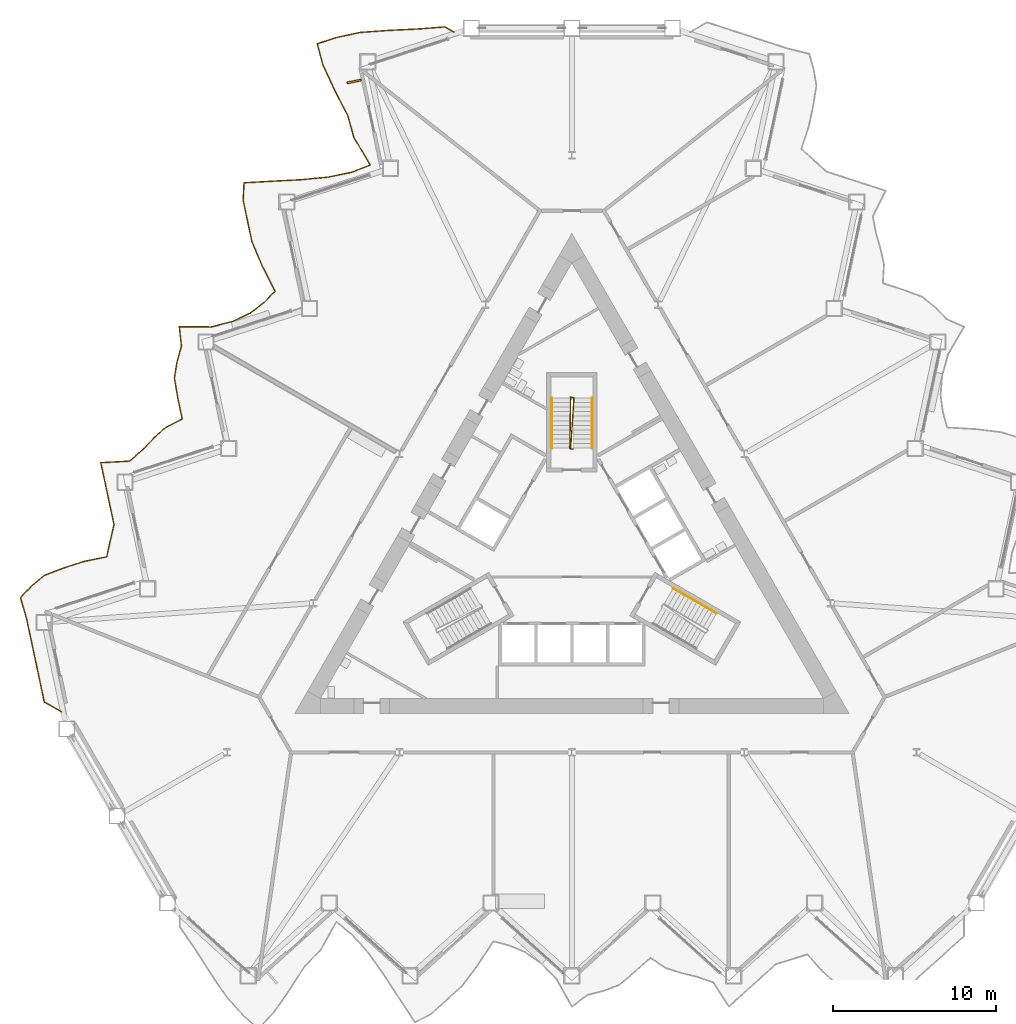
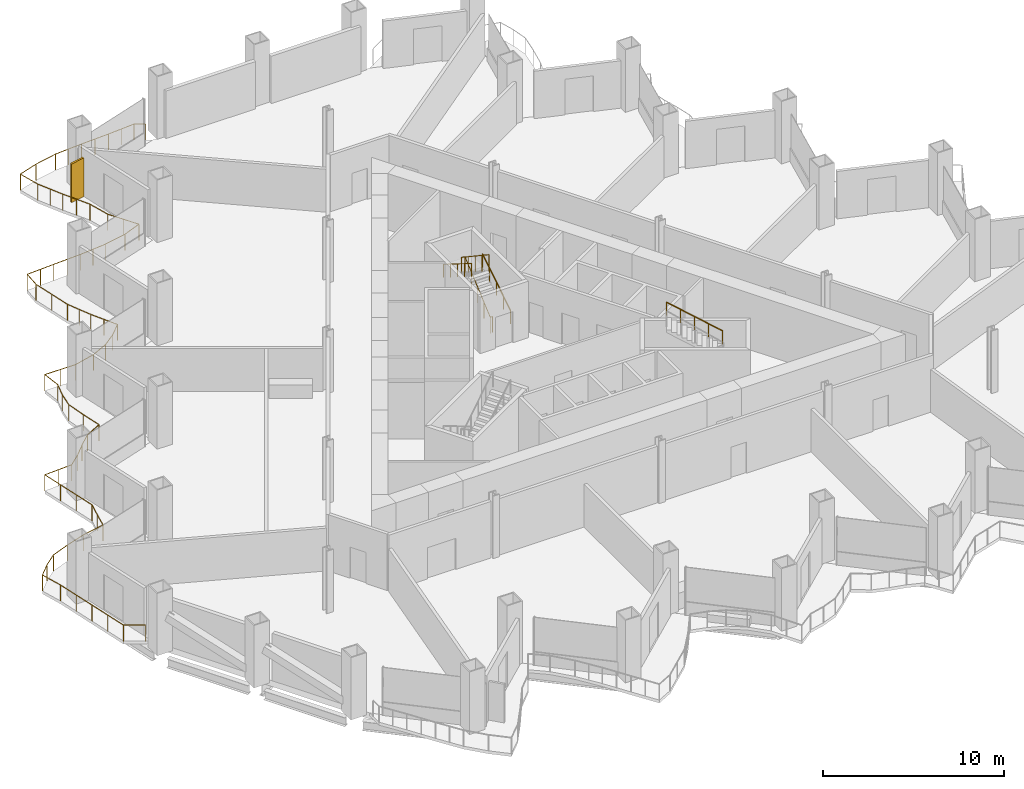
# One storey, part 17 of 20: 5 railings, 1 shading device.
"""IFC4 building model written with IfcOpenShell, lengths in metres."""

from ifc_helpers import new_model, si_unit, direction, frame, origin, origin_2d, place, context, subcontext, project, spatial, rectangle, circle, extrude, material, layer, layer_set, type_object, element, save


model = new_model("IFC4")

# Units and contexts
model_context = context("Model", 3, precision=1e-05, world=origin(), true_north=direction((0.0, 1.0)))
body_context = subcontext(model_context, "Body", "Model", "MODEL_VIEW")
ifc_project = project(units=[si_unit("LENGTHUNIT", "METRE"), si_unit("AREAUNIT", "SQUARE_METRE"), si_unit("VOLUMEUNIT", "CUBIC_METRE"), si_unit("PLANEANGLEUNIT", "RADIAN"), si_unit("MASSUNIT", "GRAM", prefix="KILO")], contexts=[model_context])

# Site, building, storey
site_placement = place(None, origin())
site = spatial("IfcSite", under=ifc_project, at=site_placement, CompositionType="ELEMENT")
building_placement = place(site_placement, origin())
building = spatial("IfcBuilding", under=site, at=building_placement, Name="Cormorant Prow Tower", CompositionType="ELEMENT")
storey_placement = place(building_placement, frame((0.0, 0.0, 38.39990234375)))
storey = spatial("IfcBuildingStorey", under=building, at=storey_placement, Name="L07", CompositionType="ELEMENT", Elevation=38.39990234375)

# Railings
ifc_material_1 = material(Name="Aluminium 6063-T6", Category="aluminium")
railing_type_1 = type_object("IfcRailingType", Name="Balcony guard 1100", PredefinedType="GUARDRAIL", material=ifc_material_1)
railing_1_placement = place(storey_placement, frame((-7.2412109375, 31.994873046875, 0.0)))
element("IfcRailing", 1, at=railing_1_placement, inside=storey, type_object=railing_type_1, Name="Balcony guard WNW", PredefinedType="GUARDRAIL", context=body_context, shape_type="SweptSolid", body=[
    extrude(circle(Radius=0.02392578125, at=origin_2d()), frame((0.0, 0.0, 1.076171875), z_axis=(-0.866038622153, 0.499977104415, 0.0), x_axis=(-0.499977104415, -0.866038622153, 0.0)), (0.0, 0.0, 1.0), 0.63623046875),
    extrude(circle(Radius=0.02392578125, at=origin_2d()), frame((-0.551025390625, 0.318115234375, 1.076171875), z_axis=(-0.997137955854, -0.075603551476, 0.0), x_axis=(0.075603551476, -0.997137955854, 0.0)), (0.0, 0.0, 1.0), 1.708251953125),
    extrude(circle(Radius=0.02392578125, at=origin_2d()), frame((-2.25439453125, 0.18896484375, 1.076171875), z_axis=(-0.998834064153, -0.048275379731, 0.0), x_axis=(0.048275379731, -0.998834064153, 0.0)), (0.0, 0.0, 1.0), 1.7802734375),
    extrude(circle(Radius=0.02392578125, at=origin_2d()), frame((-4.032470703125, 0.10302734375, 1.076171875), z_axis=(-0.997455815627, -0.071287417347, 0.0), x_axis=(0.071287417347, -0.997455815627, 0.0)), (0.0, 0.0, 1.0), 1.71923828125),
    extrude(circle(Radius=0.02392578125, at=origin_2d()), frame((-5.747314453125, -0.01953125, 1.076171875), z_axis=(-0.978400434543, -0.206718624429, 0.0), x_axis=(0.206718624429, -0.978400434543, 0.0)), (0.0, 0.0, 1.0), 1.442138671875),
    extrude(circle(Radius=0.02392578125, at=origin_2d()), frame((-7.158203125, -0.317626953125, 1.076171875), z_axis=(-0.951047907473, -0.309043488349, 0.0), x_axis=(0.309043488349, -0.951047907473, 0.0)), (0.0, 0.0, 1.0), 1.29638671875),
    extrude(circle(Radius=0.02392578125, at=origin_2d()), frame((-8.39111328125, -0.71826171875, 1.076171875), z_axis=(0.257159990866, -0.96636884216, 0.0), x_axis=(0.96636884216, 0.257159990866, 0.0)), (0.0, 0.0, 1.0), 1.3603515625),
    extrude(circle(Radius=0.02392578125, at=origin_2d()), frame((-8.041259765625, -2.032958984375, 1.076171875), z_axis=(0.424155213387, -0.905589506872, 0.0), x_axis=(0.905589506872, 0.424155213387, 0.0)), (0.0, 0.0, 1.0), 1.68359375),
    extrude(circle(Radius=0.02392578125, at=origin_2d()), frame((-7.3271484375, -3.5576171875, 1.076171875), z_axis=(0.456693053697, -0.889624333472, 0.0), x_axis=(0.889624333472, 0.456693053697, 0.0)), (0.0, 0.0, 1.0), 1.777587890625),
    extrude(circle(Radius=0.02392578125, at=origin_2d()), frame((-6.515380859375, -5.138916015625, 1.076171875), z_axis=(0.269616784072, -0.962967699223, 0.0), x_axis=(0.962967699223, 0.269616784072, 0.0)), (0.0, 0.0, 1.0), 1.378173828125),
    extrude(circle(Radius=0.02392578125, at=origin_2d()), frame((-6.143798828125, -6.466064453125, 1.076171875), z_axis=(0.510329465167, -0.859978974733, 0.0), x_axis=(0.859978974733, 0.510329465167, 0.0)), (0.0, 0.0, 1.0), 1.967529296875),
    extrude(circle(Radius=0.02392578125, at=origin_2d()), frame((-5.1396484375, -8.158203125, 1.076171875), z_axis=(-0.931726142955, -0.363161664462, 0.0), x_axis=(0.363161664462, -0.931726142955, 0.0)), (0.0, 0.0, 1.0), 1.23486328125),
    extrude(circle(Radius=0.02392578125, at=origin_2d()), frame((-6.290283203125, -8.606689453125, 1.076171875), z_axis=(-0.979843674417, -0.199765797133, 0.0), x_axis=(0.199765797133, -0.979843674417, 0.0)), (0.0, 0.0, 1.0), 1.453125),
    extrude(circle(Radius=0.02392578125, at=origin_2d()), frame((-7.714111328125, -8.89697265625, 1.076171875), z_axis=(-0.99527220185, -0.09712488983, 0.0), x_axis=(0.09712488983, -0.99527220185, 0.0)), (0.0, 0.0, 1.0), 1.656494140625),
    extrude(circle(Radius=0.02392578125, at=origin_2d()), frame((-9.36279296875, -9.057861328125, 1.076171875), z_axis=(-0.998654538049, -0.051856664315, 0.0), x_axis=(0.051856664315, -0.998654538049, 0.0)), (0.0, 0.0, 1.0), 1.770263671875),
    extrude(circle(Radius=0.02392578125, at=origin_2d()), frame((-11.130615234375, -9.149658203125, 1.076171875), z_axis=(-0.998331468628, -0.057743213865, 0.0), x_axis=(0.057743213865, -0.998331468628, 0.0)), (0.0, 0.0, 1.0), 1.754638671875),
    extrude(circle(Radius=0.02392578125, at=origin_2d()), frame((-12.88232421875, -9.2509765625, 1.076171875), z_axis=(-0.05261809748, -0.998614708392, 0.0), x_axis=(0.998614708392, -0.05261809748, 0.0)), (0.0, 0.0, 1.0), 1.0810546875),
    extrude(circle(Radius=0.02392578125, at=origin_2d()), frame((-12.939208984375, -10.33056640625, 1.076171875), z_axis=(0.20787001537, -0.978156458196, 0.0), x_axis=(0.978156458196, 0.20787001537, 0.0)), (0.0, 0.0, 1.0), 1.296630859375),
    extrude(circle(Radius=0.02392578125, at=origin_2d()), frame((-12.669677734375, -11.598876953125, 1.076171875), z_axis=(0.208050156932, -0.978118158609, 0.0), x_axis=(0.978118158609, 0.208050156932, 0.0)), (0.0, 0.0, 1.0), 1.296630859375),
    extrude(circle(Radius=0.02392578125, at=origin_2d()), frame((-12.39990234375, -12.8671875, 1.076171875), z_axis=(0.390714330931, -0.920511983412, 0.0), x_axis=(0.920511983412, 0.390714330931, 0.0)), (0.0, 0.0, 1.0), 1.600830078125),
    extrude(circle(Radius=0.02392578125, at=origin_2d()), frame((-11.7744140625, -14.3408203125, 1.076171875), z_axis=(0.450817608556, -0.892616089826, 0.0), x_axis=(0.892616089826, 0.450817608556, 0.0)), (0.0, 0.0, 1.0), 1.759521484375),
    extrude(circle(Radius=0.02392578125, at=origin_2d()), frame((-10.981201171875, -15.911376953125, 1.076171875), z_axis=(-0.704283053068, -0.709919277919, 0.0), x_axis=(0.709919277919, -0.704283053068, 0.0)), (0.0, 0.0, 1.0), 0.996337890625),
    extrude(circle(Radius=0.02392578125, at=origin_2d()), frame((-11.682861328125, -16.61865234375, 1.076171875), z_axis=(-0.794437483029, -0.607345935657, 0.0), x_axis=(0.607345935657, -0.794437483029, 0.0)), (0.0, 0.0, 1.0), 1.0439453125),
    extrude(circle(Radius=0.02392578125, at=origin_2d()), frame((-12.51220703125, -17.252685546875, 1.076171875), z_axis=(-0.903848140406, -0.427853408405, 0.0), x_axis=(0.427853408405, -0.903848140406, 0.0)), (0.0, 0.0, 1.0), 1.17138671875),
    extrude(circle(Radius=0.02392578125, at=origin_2d()), frame((-13.571044921875, -17.75390625, 1.076171875), z_axis=(-0.968439118805, -0.249250222004, 0.0), x_axis=(0.249250222004, -0.968439118805, 0.0)), (0.0, 0.0, 1.0), 1.376220703125),
    extrude(circle(Radius=0.02392578125, at=origin_2d()), frame((-14.90380859375, -18.096923828125, 1.076171875), z_axis=(-0.999969977608, 0.007748798727, 0.0), x_axis=(-0.007748798727, -0.999969977608, 0.0)), (0.0, 0.0, 1.0), 1.953369140625),
    extrude(circle(Radius=0.02392578125, at=origin_2d()), frame((-16.857177734375, -18.081787109375, 1.076171875), z_axis=(0.110991342038, -0.993821373282, 0.0), x_axis=(0.993821373282, 0.110991342038, 0.0)), (0.0, 0.0, 1.0), 1.196533203125),
    extrude(circle(Radius=0.02392578125, at=origin_2d()), frame((-16.724365234375, -19.27099609375, 1.076171875), z_axis=(-0.271897669737, -0.962326169857, 0.0), x_axis=(0.962326169857, -0.271897669737, 0.0)), (0.0, 0.0, 1.0), 0.993896484375),
    extrude(circle(Radius=0.02392578125, at=origin_2d()), frame((-16.99462890625, -20.2275390625, 1.076171875), z_axis=(-0.159671868834, -0.987170144556, 0.0), x_axis=(0.987170144556, -0.159671868834, 0.0)), (0.0, 0.0, 1.0), 1.030517578125),
    extrude(circle(Radius=0.02392578125, at=origin_2d()), frame((-17.1591796875, -21.244873046875, 1.076171875), z_axis=(0.168601333193, -0.985684325961, 0.0), x_axis=(0.985684325961, 0.168601333193, 0.0)), (0.0, 0.0, 1.0), 1.25244140625),
    extrude(circle(Radius=0.02392578125, at=origin_2d()), frame((-16.947998046875, -22.4794921875, 1.076171875), z_axis=(0.207908306761, -0.978148320031, 0.0), x_axis=(0.978148320031, 0.207908306761, 0.0)), (0.0, 0.0, 1.0), 1.29638671875),
    extrude(circle(Radius=0.02392578125, at=origin_2d()), frame((-16.678466796875, -23.74755859375, 1.076171875), z_axis=(-0.893067381261, -0.449922940654, 0.0), x_axis=(0.449922940654, -0.893067381261, 0.0)), (0.0, 0.0, 1.0), 1.152587890625),
    extrude(circle(Radius=0.02392578125, at=origin_2d()), frame((-17.707763671875, -24.26611328125, 1.076171875), z_axis=(-0.736220074978, -0.676742196999, 0.0), x_axis=(0.676742196999, -0.736220074978, 0.0)), (0.0, 0.0, 1.0), 1.009765625),
    extrude(circle(Radius=0.02392578125, at=origin_2d()), frame((-18.451171875, -24.949462890625, 1.076171875), z_axis=(-0.693698411975, -0.7202655852, 0.0), x_axis=(0.7202655852, -0.693698411975, 0.0)), (0.0, 0.0, 1.0), 0.992431640625),
    extrude(circle(Radius=0.02392578125, at=origin_2d()), frame((-19.1396484375, -25.664306640625, 1.076171875), z_axis=(-0.756683088923, -0.653781846596, 0.0), x_axis=(0.653781846596, -0.756683088923, 0.0)), (0.0, 0.0, 1.0), 1.020263671875),
    extrude(circle(Radius=0.02392578125, at=origin_2d()), frame((-19.91162109375, -26.331298828125, 1.076171875), z_axis=(-0.998559943322, -0.053647363335, 0.0), x_axis=(0.053647363335, -0.998559943322, 0.0)), (0.0, 0.0, 1.0), 1.765625),
    extrude(circle(Radius=0.02392578125, at=origin_2d()), frame((-21.6748046875, -26.426025390625, 1.076171875), z_axis=(0.208088478504, -0.978110006653, 0.0), x_axis=(0.978110006653, 0.208088478504, 0.0)), (0.0, 0.0, 1.0), 1.29638671875),
    extrude(circle(Radius=0.02392578125, at=origin_2d()), frame((-21.405029296875, -27.694091796875, 1.076171875), z_axis=(0.20787001537, -0.978156458196, 0.0), x_axis=(0.978156458196, 0.20787001537, 0.0)), (0.0, 0.0, 1.0), 1.296630859375),
    extrude(circle(Radius=0.02392578125, at=origin_2d()), frame((-21.135498046875, -28.96240234375, 1.076171875), z_axis=(0.207908306761, -0.978148320031, 0.0), x_axis=(0.978148320031, 0.207908306761, 0.0)), (0.0, 0.0, 1.0), 1.29638671875),
    extrude(circle(Radius=0.02392578125, at=origin_2d()), frame((-20.865966796875, -30.23046875, 1.076171875), z_axis=(-0.22693069724, -0.97391090899, 0.0), x_axis=(0.97391090899, -0.22693069724, 0.0)), (0.0, 0.0, 1.0), 1.007080078125),
    extrude(circle(Radius=0.02392578125, at=origin_2d()), frame((-21.094482421875, -31.211181640625, 1.076171875), z_axis=(-0.212379546317, -0.977187253451, 0.0), x_axis=(0.977187253451, -0.212379546317, 0.0)), (0.0, 0.0, 1.0), 1.01171875),
    extrude(circle(Radius=0.02392578125, at=origin_2d()), frame((-21.309326171875, -32.19970703125, 1.076171875), z_axis=(-0.979363993578, -0.202104349492, 0.0), x_axis=(0.202104349492, -0.979363993578, 0.0)), (0.0, 0.0, 1.0), 1.44970703125),
    extrude(circle(Radius=0.02392578125, at=origin_2d()), frame((-22.72900390625, -32.49267578125, 1.076171875), z_axis=(-0.951065889289, -0.308988145778, 0.0), x_axis=(0.308988145778, -0.951065889289, 0.0)), (0.0, 0.0, 1.0), 1.296630859375),
    extrude(circle(Radius=0.02392578125, at=origin_2d()), frame((-23.962158203125, -32.893310546875, 1.076171875), z_axis=(-0.934335057873, -0.356395846818, 0.0), x_axis=(0.356395846818, -0.934335057873, 0.0)), (0.0, 0.0, 1.0), 1.241943359375),
    extrude(circle(Radius=0.02392578125, at=origin_2d()), frame((-25.12255859375, -33.3359375, 1.076171875), z_axis=(-0.770474769236, -0.637470493412, 0.0), x_axis=(0.637470493412, -0.770474769236, 0.0)), (0.0, 0.0, 1.0), 1.02783203125),
    extrude(circle(Radius=0.02392578125, at=origin_2d()), frame((-25.91455078125, -33.9912109375, 1.076171875), z_axis=(-0.696211079774, -0.71783712108, 0.0), x_axis=(0.71783712108, -0.696211079774, 0.0)), (0.0, 0.0, 1.0), 0.993408203125),
    extrude(circle(Radius=0.02392578125, at=origin_2d()), frame((-26.606201171875, -34.704345703125, 1.076171875), z_axis=(0.276323671022, -0.961064633015, 0.0), x_axis=(0.961064633015, 0.276323671022, 0.0)), (0.0, 0.0, 1.0), 1.387939453125),
    extrude(circle(Radius=0.02392578125, at=origin_2d()), frame((-26.22265625, -36.038330078125, 1.076171875), z_axis=(0.20787001537, -0.978156458196, 0.0), x_axis=(0.978156458196, 0.20787001537, 0.0)), (0.0, 0.0, 1.0), 1.296630859375),
    extrude(circle(Radius=0.02392578125, at=origin_2d()), frame((-25.953125, -37.306640625, 1.076171875), z_axis=(0.207908306761, -0.978148320031, 0.0), x_axis=(0.978148320031, 0.207908306761, 0.0)), (0.0, 0.0, 1.0), 1.29638671875),
    extrude(circle(Radius=0.02392578125, at=origin_2d()), frame((-25.68359375, -38.57470703125, 1.076171875), z_axis=(0.20787001537, -0.978156458196, 0.0), x_axis=(0.978156458196, 0.20787001537, 0.0)), (0.0, 0.0, 1.0), 1.296630859375),
    extrude(circle(Radius=0.02392578125, at=origin_2d()), frame((-25.4140625, -39.843017578125, 1.076171875), z_axis=(0.208088478504, -0.978110006653, 0.0), x_axis=(0.978110006653, 0.208088478504, 0.0)), (0.0, 0.0, 1.0), 1.29638671875),
    extrude(circle(Radius=0.02392578125, at=origin_2d()), frame((-25.144287109375, -41.111083984375, 1.076171875), z_axis=(0.865955602162, -0.500120880472, 0.0), x_axis=(0.500120880472, 0.865955602162, 0.0)), (0.0, 0.0, 1.0), 1.219970703125),
    extrude(circle(Radius=0.02099609375, at=origin_2d()), origin(), (0.0, 0.0, 1.0), 1.052001953125),
    extrude(circle(Radius=0.02099609375, at=origin_2d()), frame((-0.551025390625, 0.318115234375, 0.0)), (0.0, 0.0, 1.0), 1.052001953125),
    extrude(circle(Radius=0.02099609375, at=origin_2d()), frame((-1.40283203125, 0.25341796875, 0.0)), (0.0, 0.0, 1.0), 1.052001953125),
    extrude(circle(Radius=0.02099609375, at=origin_2d()), frame((-2.25439453125, 0.18896484375, 0.0)), (0.0, 0.0, 1.0), 1.052001953125),
    extrude(circle(Radius=0.02099609375, at=origin_2d()), frame((-3.1435546875, 0.14599609375, 0.0)), (0.0, 0.0, 1.0), 1.052001953125),
    extrude(circle(Radius=0.02099609375, at=origin_2d()), frame((-4.032470703125, 0.10302734375, 0.0)), (0.0, 0.0, 1.0), 1.052001953125),
    extrude(circle(Radius=0.02099609375, at=origin_2d()), frame((-4.889892578125, 0.041748046875, 0.0)), (0.0, 0.0, 1.0), 1.052001953125),
    extrude(circle(Radius=0.02099609375, at=origin_2d()), frame((-5.747314453125, -0.01953125, 0.0)), (0.0, 0.0, 1.0), 1.052001953125),
    extrude(circle(Radius=0.02099609375, at=origin_2d()), frame((-7.158203125, -0.317626953125, 0.0)), (0.0, 0.0, 1.0), 1.052001953125),
    extrude(circle(Radius=0.02099609375, at=origin_2d()), frame((-8.39111328125, -0.71826171875, 0.0)), (0.0, 0.0, 1.0), 1.052001953125),
    extrude(circle(Radius=0.02099609375, at=origin_2d()), frame((-8.041259765625, -2.032958984375, 0.0)), (0.0, 0.0, 1.0), 1.052001953125),
    extrude(circle(Radius=0.02099609375, at=origin_2d()), frame((-7.68408203125, -2.79541015625, 0.0)), (0.0, 0.0, 1.0), 1.052001953125),
    extrude(circle(Radius=0.02099609375, at=origin_2d()), frame((-7.3271484375, -3.5576171875, 0.0)), (0.0, 0.0, 1.0), 1.052001953125),
    extrude(circle(Radius=0.02099609375, at=origin_2d()), frame((-6.92138671875, -4.34814453125, 0.0)), (0.0, 0.0, 1.0), 1.052001953125),
    extrude(circle(Radius=0.02099609375, at=origin_2d()), frame((-6.515380859375, -5.138916015625, 0.0)), (0.0, 0.0, 1.0), 1.052001953125),
    extrude(circle(Radius=0.02099609375, at=origin_2d()), frame((-6.143798828125, -6.466064453125, 0.0)), (0.0, 0.0, 1.0), 1.052001953125),
    extrude(circle(Radius=0.02099609375, at=origin_2d()), frame((-5.6416015625, -7.31201171875, 0.0)), (0.0, 0.0, 1.0), 1.052001953125),
    extrude(circle(Radius=0.02099609375, at=origin_2d()), frame((-5.1396484375, -8.158203125, 0.0)), (0.0, 0.0, 1.0), 1.052001953125),
    extrude(circle(Radius=0.02099609375, at=origin_2d()), frame((-6.290283203125, -8.606689453125, 0.0)), (0.0, 0.0, 1.0), 1.052001953125),
    extrude(circle(Radius=0.02099609375, at=origin_2d()), frame((-7.714111328125, -8.89697265625, 0.0)), (0.0, 0.0, 1.0), 1.052001953125),
    extrude(circle(Radius=0.02099609375, at=origin_2d()), frame((-8.53857421875, -8.9775390625, 0.0)), (0.0, 0.0, 1.0), 1.052001953125),
    extrude(circle(Radius=0.02099609375, at=origin_2d()), frame((-9.36279296875, -9.057861328125, 0.0)), (0.0, 0.0, 1.0), 1.052001953125),
    extrude(circle(Radius=0.02099609375, at=origin_2d()), frame((-10.24658203125, -9.103759765625, 0.0)), (0.0, 0.0, 1.0), 1.052001953125),
    extrude(circle(Radius=0.02099609375, at=origin_2d()), frame((-11.130615234375, -9.149658203125, 0.0)), (0.0, 0.0, 1.0), 1.052001953125),
    extrude(circle(Radius=0.02099609375, at=origin_2d()), frame((-12.00634765625, -9.2001953125, 0.0)), (0.0, 0.0, 1.0), 1.052001953125),
    extrude(circle(Radius=0.02099609375, at=origin_2d()), frame((-12.88232421875, -9.2509765625, 0.0)), (0.0, 0.0, 1.0), 1.052001953125),
    extrude(circle(Radius=0.02099609375, at=origin_2d()), frame((-12.939208984375, -10.33056640625, 0.0)), (0.0, 0.0, 1.0), 1.052001953125),
    extrude(circle(Radius=0.02099609375, at=origin_2d()), frame((-12.669677734375, -11.598876953125, 0.0)), (0.0, 0.0, 1.0), 1.052001953125),
    extrude(circle(Radius=0.02099609375, at=origin_2d()), frame((-12.39990234375, -12.8671875, 0.0)), (0.0, 0.0, 1.0), 1.052001953125),
    extrude(circle(Radius=0.02099609375, at=origin_2d()), frame((-12.087158203125, -13.60400390625, 0.0)), (0.0, 0.0, 1.0), 1.052001953125),
    extrude(circle(Radius=0.02099609375, at=origin_2d()), frame((-11.7744140625, -14.3408203125, 0.0)), (0.0, 0.0, 1.0), 1.052001953125),
    extrude(circle(Radius=0.02099609375, at=origin_2d()), frame((-11.3779296875, -15.1259765625, 0.0)), (0.0, 0.0, 1.0), 1.052001953125),
    extrude(circle(Radius=0.02099609375, at=origin_2d()), frame((-10.981201171875, -15.911376953125, 0.0)), (0.0, 0.0, 1.0), 1.052001953125),
    extrude(circle(Radius=0.02099609375, at=origin_2d()), frame((-11.682861328125, -16.61865234375, 0.0)), (0.0, 0.0, 1.0), 1.052001953125),
    extrude(circle(Radius=0.02099609375, at=origin_2d()), frame((-12.51220703125, -17.252685546875, 0.0)), (0.0, 0.0, 1.0), 1.052001953125),
    extrude(circle(Radius=0.02099609375, at=origin_2d()), frame((-13.571044921875, -17.75390625, 0.0)), (0.0, 0.0, 1.0), 1.052001953125),
    extrude(circle(Radius=0.02099609375, at=origin_2d()), frame((-14.90380859375, -18.096923828125, 0.0)), (0.0, 0.0, 1.0), 1.052001953125),
    extrude(circle(Radius=0.02099609375, at=origin_2d()), frame((-15.88037109375, -18.08935546875, 0.0)), (0.0, 0.0, 1.0), 1.052001953125),
    extrude(circle(Radius=0.02099609375, at=origin_2d()), frame((-16.857177734375, -18.081787109375, 0.0)), (0.0, 0.0, 1.0), 1.052001953125),
    extrude(circle(Radius=0.02099609375, at=origin_2d()), frame((-16.724365234375, -19.27099609375, 0.0)), (0.0, 0.0, 1.0), 1.052001953125),
    extrude(circle(Radius=0.02099609375, at=origin_2d()), frame((-16.99462890625, -20.2275390625, 0.0)), (0.0, 0.0, 1.0), 1.052001953125),
    extrude(circle(Radius=0.02099609375, at=origin_2d()), frame((-17.1591796875, -21.244873046875, 0.0)), (0.0, 0.0, 1.0), 1.052001953125),
    extrude(circle(Radius=0.02099609375, at=origin_2d()), frame((-16.947998046875, -22.4794921875, 0.0)), (0.0, 0.0, 1.0), 1.052001953125),
    extrude(circle(Radius=0.02099609375, at=origin_2d()), frame((-16.678466796875, -23.74755859375, 0.0)), (0.0, 0.0, 1.0), 1.052001953125),
    extrude(circle(Radius=0.02099609375, at=origin_2d()), frame((-17.707763671875, -24.26611328125, 0.0)), (0.0, 0.0, 1.0), 1.052001953125),
    extrude(circle(Radius=0.02099609375, at=origin_2d()), frame((-18.451171875, -24.949462890625, 0.0)), (0.0, 0.0, 1.0), 1.052001953125),
    extrude(circle(Radius=0.02099609375, at=origin_2d()), frame((-19.1396484375, -25.664306640625, 0.0)), (0.0, 0.0, 1.0), 1.052001953125),
    extrude(circle(Radius=0.02099609375, at=origin_2d()), frame((-19.91162109375, -26.331298828125, 0.0)), (0.0, 0.0, 1.0), 1.052001953125),
    extrude(circle(Radius=0.02099609375, at=origin_2d()), frame((-20.793212890625, -26.378662109375, 0.0)), (0.0, 0.0, 1.0), 1.052001953125),
    extrude(circle(Radius=0.02099609375, at=origin_2d()), frame((-21.6748046875, -26.426025390625, 0.0)), (0.0, 0.0, 1.0), 1.052001953125),
    extrude(circle(Radius=0.02099609375, at=origin_2d()), frame((-21.405029296875, -27.694091796875, 0.0)), (0.0, 0.0, 1.0), 1.052001953125),
    extrude(circle(Radius=0.02099609375, at=origin_2d()), frame((-21.135498046875, -28.96240234375, 0.0)), (0.0, 0.0, 1.0), 1.052001953125),
    extrude(circle(Radius=0.02099609375, at=origin_2d()), frame((-20.865966796875, -30.23046875, 0.0)), (0.0, 0.0, 1.0), 1.052001953125),
    extrude(circle(Radius=0.02099609375, at=origin_2d()), frame((-21.094482421875, -31.211181640625, 0.0)), (0.0, 0.0, 1.0), 1.052001953125),
    extrude(circle(Radius=0.02099609375, at=origin_2d()), frame((-21.309326171875, -32.19970703125, 0.0)), (0.0, 0.0, 1.0), 1.052001953125),
    extrude(circle(Radius=0.02099609375, at=origin_2d()), frame((-22.72900390625, -32.49267578125, 0.0)), (0.0, 0.0, 1.0), 1.052001953125),
    extrude(circle(Radius=0.02099609375, at=origin_2d()), frame((-23.962158203125, -32.893310546875, 0.0)), (0.0, 0.0, 1.0), 1.052001953125),
    extrude(circle(Radius=0.02099609375, at=origin_2d()), frame((-25.12255859375, -33.3359375, 0.0)), (0.0, 0.0, 1.0), 1.052001953125),
    extrude(circle(Radius=0.02099609375, at=origin_2d()), frame((-25.91455078125, -33.9912109375, 0.0)), (0.0, 0.0, 1.0), 1.052001953125),
    extrude(circle(Radius=0.02099609375, at=origin_2d()), frame((-26.606201171875, -34.704345703125, 0.0)), (0.0, 0.0, 1.0), 1.052001953125),
    extrude(circle(Radius=0.02099609375, at=origin_2d()), frame((-26.22265625, -36.038330078125, 0.0)), (0.0, 0.0, 1.0), 1.052001953125),
    extrude(circle(Radius=0.02099609375, at=origin_2d()), frame((-25.953125, -37.306640625, 0.0)), (0.0, 0.0, 1.0), 1.052001953125),
    extrude(circle(Radius=0.02099609375, at=origin_2d()), frame((-25.68359375, -38.57470703125, 0.0)), (0.0, 0.0, 1.0), 1.052001953125),
    extrude(circle(Radius=0.02099609375, at=origin_2d()), frame((-25.4140625, -39.843017578125, 0.0)), (0.0, 0.0, 1.0), 1.052001953125),
    extrude(circle(Radius=0.02099609375, at=origin_2d()), frame((-25.144287109375, -41.111083984375, 0.0)), (0.0, 0.0, 1.0), 1.052001953125),
    extrude(circle(Radius=0.02099609375, at=origin_2d()), frame((-24.087890625, -41.72119140625, 0.0)), (0.0, 0.0, 1.0), 1.052001953125),
])
ifc_material_2 = material(Name="Stainless steel", Category="steel")
railing_type_2 = type_object("IfcRailingType", Name="Stair guard 1100", PredefinedType="GUARDRAIL", material=ifc_material_2)
railing_2_placement = place(storey_placement, frame((0.074951171875, 6.40576171875, 0.0)))
element("IfcRailing", 2, at=railing_2_placement, inside=storey, type_object=railing_type_2, Name="L07 ST3 stair guard 1", PredefinedType="GUARDRAIL", context=body_context, shape_type="SweptSolid", body=[
    extrude(circle(Radius=0.02392578125, at=origin_2d()), frame((0.0, 0.0, 1.076171875), z_axis=(-1.0, 0.0, 0.0), x_axis=(0.0, -1.0, 0.0)), (0.0, 0.0, 1.0), 0.14990234375),
    extrude(circle(Radius=0.02392578125, at=origin_2d()), frame((-0.14990234375, 0.0, 1.076171875), z_axis=(0.052971918151, 0.829246596605, 0.556366837532), x_axis=(-0.997965923181, 0.063749636618, 0.0)), (0.0, 0.0, 1.0), 3.774658203125),
    extrude(circle(Radius=0.02392578125, at=origin_2d()), frame((0.050048828125, 3.130126953125, 3.17626953125), z_axis=(-0.970072785993, 0.242814311512, 0.0), x_axis=(-0.242814311512, -0.970072785993, 0.0)), (0.0, 0.0, 1.0), 0.2060546875),
    extrude(circle(Radius=0.02392578125, at=origin_2d()), frame((-0.14990234375, 3.18017578125, 3.17626953125), z_axis=(-0.013276620939, -0.830339302729, 0.557099967403), x_axis=(0.999872194171, -0.015987348866, 0.0)), (0.0, 0.0, 1.0), 3.769775390625),
    extrude(circle(Radius=0.02099609375, at=origin_2d()), origin(), (0.0, 0.0, 1.0), 1.052001953125),
    extrude(circle(Radius=0.02099609375, at=origin_2d()), frame((-0.14990234375, 0.0, 0.0)), (0.0, 0.0, 1.0), 1.052001953125),
    extrude(circle(Radius=0.02099609375, at=origin_2d()), frame((-0.099853515625, 0.782470703125, 0.52490234375)), (0.0, 0.0, 1.0), 1.052001953125),
    extrude(circle(Radius=0.02099609375, at=origin_2d()), frame((-0.0498046875, 1.56494140625, 1.050048828125)), (0.0, 0.0, 1.0), 1.052001953125),
    extrude(circle(Radius=0.02099609375, at=origin_2d()), frame((0.0, 2.34765625, 1.5751953125)), (0.0, 0.0, 1.0), 1.052001953125),
    extrude(circle(Radius=0.02099609375, at=origin_2d()), frame((0.050048828125, 3.130126953125, 2.10009765625)), (0.0, 0.0, 1.0), 1.052001953125),
    extrude(circle(Radius=0.02099609375, at=origin_2d()), frame((-0.14990234375, 3.18017578125, 2.10009765625)), (0.0, 0.0, 1.0), 1.052001953125),
    extrude(circle(Radius=0.02099609375, at=origin_2d()), frame((-0.162353515625, 2.397705078125, 2.625)), (0.0, 0.0, 1.0), 1.052001953125),
    extrude(circle(Radius=0.02099609375, at=origin_2d()), frame((-0.1748046875, 1.615234375, 3.150146484375)), (0.0, 0.0, 1.0), 1.052001953125),
    extrude(circle(Radius=0.02099609375, at=origin_2d()), frame((-0.1875, 0.83251953125, 3.67529296875)), (0.0, 0.0, 1.0), 1.052001953125),
    extrude(circle(Radius=0.02099609375, at=origin_2d()), frame((-0.199951171875, 0.050048828125, 4.2001953125)), (0.0, 0.0, 1.0), 1.052001953125),
])
ifc_material_3 = material(Name="Stainless steel", Category="steel")
railing_type_3 = type_object("IfcRailingType", Name="Stair handrail 900", PredefinedType="HANDRAIL", material=ifc_material_3)
railing_3_placement = place(storey_placement, frame((8.88037109375, -3.690673828125, 2.275146484375)))
element("IfcRailing", 3, at=railing_3_placement, inside=storey, type_object=railing_type_3, Name="L07 ST2 stair handrail 2", PredefinedType="HANDRAIL", context=body_context, shape_type="SweptSolid", body=[
    extrude(circle(Radius=0.02392578125, at=origin_2d()), frame((0.0, 0.0, 0.8759765625), z_axis=(-0.734394994316, 0.423994474112, 0.52999309264), x_axis=(-0.499992328818, -0.866029832698, 0.0)), (0.0, 0.0, 1.0), 3.63232421875),
    extrude(circle(Radius=0.02099609375, at=origin_2d()), origin(), (0.0, 0.0, 1.0), 0.851806640625),
    extrude(circle(Radius=0.02099609375, at=origin_2d()), frame((-0.6669921875, 0.385009765625, 0.481201171875)), (0.0, 0.0, 1.0), 0.851806640625),
    extrude(circle(Radius=0.02099609375, at=origin_2d()), frame((-1.333740234375, 0.77001953125, 0.96240234375)), (0.0, 0.0, 1.0), 0.851806640625),
    extrude(circle(Radius=0.02099609375, at=origin_2d()), frame((-2.00048828125, 1.155029296875, 1.44384765625)), (0.0, 0.0, 1.0), 0.851806640625),
    extrude(circle(Radius=0.02099609375, at=origin_2d()), frame((-2.66748046875, 1.5400390625, 1.925048828125)), (0.0, 0.0, 1.0), 0.851806640625),
])
railing_4_placement = place(storey_placement, frame((1.243896484375, 6.455810546875, 0.175048828125)))
element("IfcRailing", 4, at=railing_4_placement, inside=storey, type_object=railing_type_3, Name="L07 ST3 stair handrail 1", PredefinedType="HANDRAIL", context=body_context, shape_type="SweptSolid", body=[
    extrude(circle(Radius=0.02392578125, at=origin_2d()), frame((0.0, 0.0, 0.8759765625), z_axis=(0.0, 0.847998304005, 0.529998940003), x_axis=(-1.0, 0.0, 0.0)), (0.0, 0.0, 1.0), 3.632080078125),
    extrude(circle(Radius=0.02099609375, at=origin_2d()), origin(), (0.0, 0.0, 1.0), 0.851806640625),
    extrude(circle(Radius=0.02099609375, at=origin_2d()), frame((0.0, 0.77001953125, 0.481201171875)), (0.0, 0.0, 1.0), 0.851806640625),
    extrude(circle(Radius=0.02099609375, at=origin_2d()), frame((0.0, 1.5400390625, 0.96240234375)), (0.0, 0.0, 1.0), 0.851806640625),
    extrude(circle(Radius=0.02099609375, at=origin_2d()), frame((0.0, 2.31005859375, 1.44384765625)), (0.0, 0.0, 1.0), 0.851806640625),
    extrude(circle(Radius=0.02099609375, at=origin_2d()), frame((0.0, 3.080078125, 1.925048828125)), (0.0, 0.0, 1.0), 0.851806640625),
])
railing_5_placement = place(storey_placement, frame((-1.243896484375, 9.535888671875, 2.275146484375)))
element("IfcRailing", 5, at=railing_5_placement, inside=storey, type_object=railing_type_3, Name="L07 ST3 stair handrail 2", PredefinedType="HANDRAIL", context=body_context, shape_type="SweptSolid", body=[
    extrude(circle(Radius=0.02392578125, at=origin_2d()), frame((0.0, 0.0, 0.8759765625), z_axis=(0.0, -0.847998304005, 0.529998940003), x_axis=(1.0, 0.0, 0.0)), (0.0, 0.0, 1.0), 3.632080078125),
    extrude(circle(Radius=0.02099609375, at=origin_2d()), origin(), (0.0, 0.0, 1.0), 0.851806640625),
    extrude(circle(Radius=0.02099609375, at=origin_2d()), frame((0.0, -0.77001953125, 0.481201171875)), (0.0, 0.0, 1.0), 0.851806640625),
    extrude(circle(Radius=0.02099609375, at=origin_2d()), frame((0.0, -1.5400390625, 0.96240234375)), (0.0, 0.0, 1.0), 0.851806640625),
    extrude(circle(Radius=0.02099609375, at=origin_2d()), frame((0.0, -2.31005859375, 1.44384765625)), (0.0, 0.0, 1.0), 0.851806640625),
    extrude(circle(Radius=0.02099609375, at=origin_2d()), frame((0.0, -3.080078125, 1.925048828125)), (0.0, 0.0, 1.0), 0.851806640625),
])

# Shading device
ifc_material_4 = material(Name="Terracotta", Category="masonry")
ifc_layer = layer(ifc_material_4, 0.1201171875)
ifc_layer_set = layer_set([ifc_layer], Name="Terracotta")
shading_device_type = type_object("IfcShadingDeviceType", Name="Terracotta baguette fin 120x900x2600", PredefinedType="USERDEFINED", material=ifc_layer_set)
shading_device_placement = place(storey_placement, frame((-13.359130859375, 28.9619140625, 0.0), z_axis=(0.0, 0.0, 1.0), x_axis=(0.207911761683, -0.978147585671, 0.0)))
element("IfcShadingDevice", 6, at=shading_device_placement, inside=storey, type_object=shading_device_type, Name="Baguette fin WNW01", ObjectType="BAGUETTE", PredefinedType="USERDEFINED", context=body_context, shape_type="SweptSolid", body=[
    extrude(rectangle(XDim=0.1201171875, YDim=0.89990234375, at=origin_2d()), origin(), (0.0, 0.0, 1.0), 2.60009765625),
])

save(model, "model.ifc")
